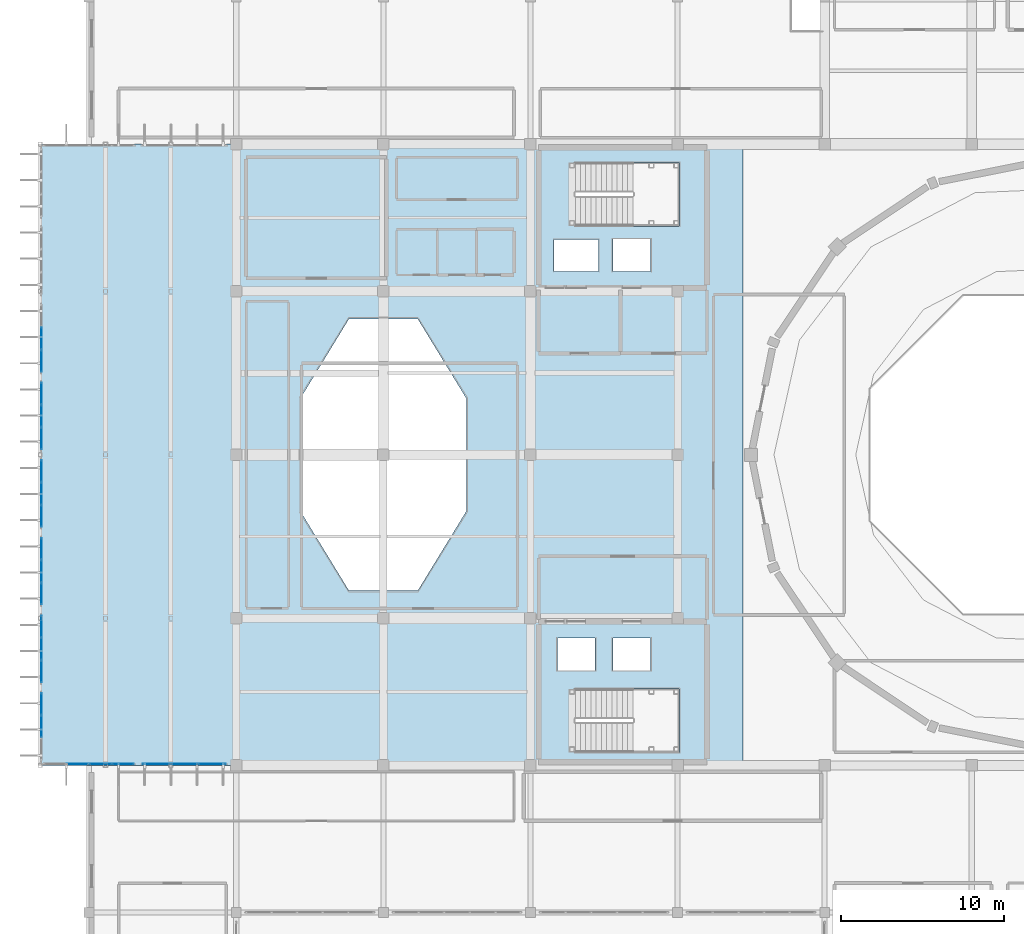
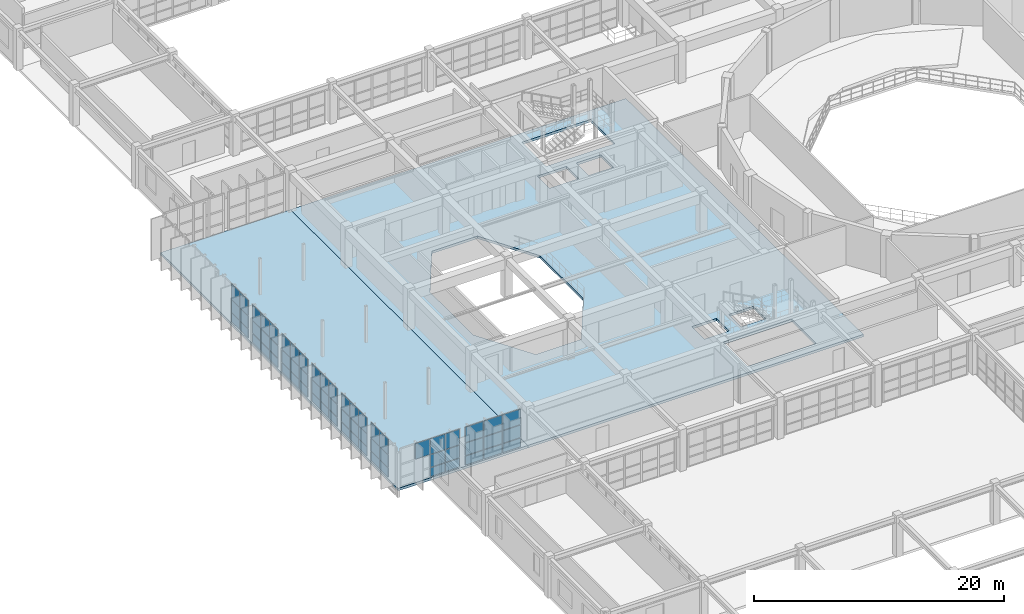
# One storey, part 81 of 110: 64 plates, 2 slabs, 8 elements without a shape of their own.
"""IFC4 building model written with IfcOpenShell, lengths in metres."""

from ifc_helpers import new_model, si_unit, direction, frame, origin, origin_2d, place, context, subcontext, project, spatial, polyline, rectangle, outline, extrude, material, layer, layer_set, type_object, element, aggregate, save


model = new_model("IFC4")

# Units and contexts
model_context = context("Model", 3, precision=1e-05, world=origin(), true_north=direction((0.0, 1.0)))
body_context = subcontext(model_context, "Body", "Model", "MODEL_VIEW")
ifc_project = project(units=[si_unit("LENGTHUNIT", "METRE"), si_unit("AREAUNIT", "SQUARE_METRE"), si_unit("VOLUMEUNIT", "CUBIC_METRE"), si_unit("PLANEANGLEUNIT", "RADIAN"), si_unit("MASSUNIT", "GRAM", prefix="KILO")], contexts=[model_context])

# Site, building, storey
site_placement = place(None, origin())
site = spatial("IfcSite", under=ifc_project, at=site_placement, CompositionType="ELEMENT")
building_placement = place(site_placement, origin())
building = spatial("IfcBuilding", under=site, at=building_placement, Name="Miravela Opera House", CompositionType="ELEMENT")
storey_placement = place(building_placement, frame((0.0, 0.0, 13.60009765625)))
storey = spatial("IfcBuildingStorey", under=building, at=storey_placement, Name="L03", CompositionType="ELEMENT", Elevation=13.60009765625)

# Curtain wall, plates
ifc_material_1 = material(Name="Anodised architectural bronze aluminium 6063-T6", Category="aluminium")
curtain_wall_type = type_object("IfcCurtainWallType", Name="ARC-CW-02", PredefinedType="NOTDEFINED", material=ifc_material_1)
curtain_wall_1_placement = place(storey_placement, origin())
curtain_wall_1 = element("IfcCurtainWall", 1, at=curtain_wall_1_placement, inside=storey, type_object=curtain_wall_type, Name="Cantilever West Wrapper Glazing B1 CW-L03-015", PredefinedType="NOTDEFINED")
ifc_material_2 = material(Name="Triple-glazed acoustic laminated low-E glass", Category="glass")
ifc_layer_1 = layer(ifc_material_2, 0.035888671875)
ifc_layer_set_1 = layer_set([ifc_layer_1])
plate_type = type_object("IfcPlateType", Name="ARC-CWP-36", PredefinedType="CURTAIN_PANEL", material=ifc_layer_set_1)
plate_1_placement = place(storey_placement, frame((15.080078125, 39.375, 0.06494140625), z_axis=(0.0, 0.0, 1.0), x_axis=(0.0, 1.0, 0.0)))
plate_1 = element("IfcPlate", 2, at=plate_1_placement, type_object=plate_type, Name="CW-02 panel 2.1", PredefinedType="CURTAIN_PANEL", context=body_context, shape_type="SweptSolid", body=[
    extrude(rectangle(XDim=1.331787109375, YDim=0.035888671875, at=origin_2d()), origin(), (0.0, 0.0, 1.0), 0.8525390625),
])
plate_2_placement = place(storey_placement, frame((15.080078125, 39.375, 0.982421875), z_axis=(0.0, 0.0, 1.0), x_axis=(0.0, 1.0, 0.0)))
plate_2 = element("IfcPlate", 3, at=plate_2_placement, type_object=plate_type, Name="CW-02 panel 2.2", PredefinedType="CURTAIN_PANEL", context=body_context, shape_type="SweptSolid", body=[
    extrude(rectangle(XDim=1.331787109375, YDim=0.035888671875, at=origin_2d()), origin(), (0.0, 0.0, 1.0), 1.20068359375),
])
plate_3_placement = place(storey_placement, frame((15.080078125, 39.375, 2.248046875), z_axis=(0.0, 0.0, 1.0), x_axis=(0.0, 1.0, 0.0)))
plate_3 = element("IfcPlate", 4, at=plate_3_placement, type_object=plate_type, Name="CW-02 panel 2.3", PredefinedType="CURTAIN_PANEL", context=body_context, shape_type="SweptSolid", body=[
    extrude(rectangle(XDim=1.331787109375, YDim=0.035888671875, at=origin_2d()), origin(), (0.0, 0.0, 1.0), 1.5068359375),
])
plate_4_placement = place(storey_placement, frame((15.080078125, 40.75537109375, 0.06494140625), z_axis=(0.0, 0.0, 1.0), x_axis=(0.0, 1.0, 0.0)))
plate_4 = element("IfcPlate", 5, at=plate_4_placement, type_object=plate_type, Name="CW-02 panel 3.1", PredefinedType="CURTAIN_PANEL", context=body_context, shape_type="SweptSolid", body=[
    extrude(rectangle(XDim=1.299072265625, YDim=0.035888671875, at=origin_2d()), origin(), (0.0, 0.0, 1.0), 0.8525390625),
])
plate_5_placement = place(storey_placement, frame((15.080078125, 40.75537109375, 0.982421875), z_axis=(0.0, 0.0, 1.0), x_axis=(0.0, 1.0, 0.0)))
plate_5 = element("IfcPlate", 6, at=plate_5_placement, type_object=plate_type, Name="CW-02 panel 3.2", PredefinedType="CURTAIN_PANEL", context=body_context, shape_type="SweptSolid", body=[
    extrude(rectangle(XDim=1.299072265625, YDim=0.035888671875, at=origin_2d()), origin(), (0.0, 0.0, 1.0), 1.20068359375),
])
plate_6_placement = place(storey_placement, frame((15.080078125, 40.75537109375, 2.248046875), z_axis=(0.0, 0.0, 1.0), x_axis=(0.0, 1.0, 0.0)))
plate_6 = element("IfcPlate", 7, at=plate_6_placement, type_object=plate_type, Name="CW-02 panel 3.3", PredefinedType="CURTAIN_PANEL", context=body_context, shape_type="SweptSolid", body=[
    extrude(rectangle(XDim=1.299072265625, YDim=0.035888671875, at=origin_2d()), origin(), (0.0, 0.0, 1.0), 1.5068359375),
])
aggregate(curtain_wall_1, [plate_1, plate_2, plate_3, plate_4, plate_5, plate_6])

curtain_wall_2_placement = place(storey_placement, origin())
curtain_wall_2 = element("IfcCurtainWall", 8, at=curtain_wall_2_placement, inside=storey, type_object=curtain_wall_type, Name="Cantilever West Wrapper Glazing B2 CW-L03-016", PredefinedType="NOTDEFINED")
plate_7_placement = place(storey_placement, frame((15.080078125, 42.74462890625, 0.06494140625), z_axis=(0.0, 0.0, 1.0), x_axis=(0.0, 1.0, 0.0)))
plate_7 = element("IfcPlate", 9, at=plate_7_placement, type_object=plate_type, Name="CW-02 panel 1.1", PredefinedType="CURTAIN_PANEL", context=body_context, shape_type="SweptSolid", body=[
    extrude(rectangle(XDim=1.299072265625, YDim=0.035888671875, at=origin_2d()), origin(), (0.0, 0.0, 1.0), 0.8525390625),
])
plate_8_placement = place(storey_placement, frame((15.080078125, 42.74462890625, 0.982421875), z_axis=(0.0, 0.0, 1.0), x_axis=(0.0, 1.0, 0.0)))
plate_8 = element("IfcPlate", 10, at=plate_8_placement, type_object=plate_type, Name="CW-02 panel 1.2", PredefinedType="CURTAIN_PANEL", context=body_context, shape_type="SweptSolid", body=[
    extrude(rectangle(XDim=1.299072265625, YDim=0.035888671875, at=origin_2d()), origin(), (0.0, 0.0, 1.0), 1.20068359375),
])
plate_9_placement = place(storey_placement, frame((15.080078125, 42.74462890625, 2.248046875), z_axis=(0.0, 0.0, 1.0), x_axis=(0.0, 1.0, 0.0)))
plate_9 = element("IfcPlate", 11, at=plate_9_placement, type_object=plate_type, Name="CW-02 panel 1.3", PredefinedType="CURTAIN_PANEL", context=body_context, shape_type="SweptSolid", body=[
    extrude(rectangle(XDim=1.299072265625, YDim=0.035888671875, at=origin_2d()), origin(), (0.0, 0.0, 1.0), 1.5068359375),
])
plate_10_placement = place(storey_placement, frame((15.080078125, 44.125, 0.06494140625), z_axis=(0.0, 0.0, 1.0), x_axis=(0.0, 1.0, 0.0)))
plate_10 = element("IfcPlate", 12, at=plate_10_placement, type_object=plate_type, Name="CW-02 panel 2.1", PredefinedType="CURTAIN_PANEL", context=body_context, shape_type="SweptSolid", body=[
    extrude(rectangle(XDim=1.331787109375, YDim=0.035888671875, at=origin_2d()), origin(), (0.0, 0.0, 1.0), 0.8525390625),
])
plate_11_placement = place(storey_placement, frame((15.080078125, 44.125, 0.982421875), z_axis=(0.0, 0.0, 1.0), x_axis=(0.0, 1.0, 0.0)))
plate_11 = element("IfcPlate", 13, at=plate_11_placement, type_object=plate_type, Name="CW-02 panel 2.2", PredefinedType="CURTAIN_PANEL", context=body_context, shape_type="SweptSolid", body=[
    extrude(rectangle(XDim=1.331787109375, YDim=0.035888671875, at=origin_2d()), origin(), (0.0, 0.0, 1.0), 1.20068359375),
])
plate_12_placement = place(storey_placement, frame((15.080078125, 44.125, 2.248046875), z_axis=(0.0, 0.0, 1.0), x_axis=(0.0, 1.0, 0.0)))
plate_12 = element("IfcPlate", 14, at=plate_12_placement, type_object=plate_type, Name="CW-02 panel 2.3", PredefinedType="CURTAIN_PANEL", context=body_context, shape_type="SweptSolid", body=[
    extrude(rectangle(XDim=1.331787109375, YDim=0.035888671875, at=origin_2d()), origin(), (0.0, 0.0, 1.0), 1.5068359375),
])
plate_13_placement = place(storey_placement, frame((15.080078125, 45.50537109375, 0.06494140625), z_axis=(0.0, 0.0, 1.0), x_axis=(0.0, 1.0, 0.0)))
plate_13 = element("IfcPlate", 15, at=plate_13_placement, type_object=plate_type, Name="CW-02 panel 3.1", PredefinedType="CURTAIN_PANEL", context=body_context, shape_type="SweptSolid", body=[
    extrude(rectangle(XDim=1.299072265625, YDim=0.035888671875, at=origin_2d()), origin(), (0.0, 0.0, 1.0), 0.8525390625),
])
plate_14_placement = place(storey_placement, frame((15.080078125, 45.50537109375, 0.982421875), z_axis=(0.0, 0.0, 1.0), x_axis=(0.0, 1.0, 0.0)))
plate_14 = element("IfcPlate", 16, at=plate_14_placement, type_object=plate_type, Name="CW-02 panel 3.2", PredefinedType="CURTAIN_PANEL", context=body_context, shape_type="SweptSolid", body=[
    extrude(rectangle(XDim=1.299072265625, YDim=0.035888671875, at=origin_2d()), origin(), (0.0, 0.0, 1.0), 1.20068359375),
])
plate_15_placement = place(storey_placement, frame((15.080078125, 45.50537109375, 2.248046875), z_axis=(0.0, 0.0, 1.0), x_axis=(0.0, 1.0, 0.0)))
plate_15 = element("IfcPlate", 17, at=plate_15_placement, type_object=plate_type, Name="CW-02 panel 3.3", PredefinedType="CURTAIN_PANEL", context=body_context, shape_type="SweptSolid", body=[
    extrude(rectangle(XDim=1.299072265625, YDim=0.035888671875, at=origin_2d()), origin(), (0.0, 0.0, 1.0), 1.5068359375),
])
aggregate(curtain_wall_2, [plate_7, plate_8, plate_9, plate_10, plate_11, plate_12, plate_13, plate_14, plate_15])

curtain_wall_3_placement = place(storey_placement, origin())
curtain_wall_3 = element("IfcCurtainWall", 18, at=curtain_wall_3_placement, inside=storey, type_object=curtain_wall_type, Name="Cantilever West Wrapper Glazing B3 CW-L03-017", PredefinedType="NOTDEFINED")
plate_16_placement = place(storey_placement, frame((15.080078125, 47.49462890625, 0.06494140625), z_axis=(0.0, 0.0, 1.0), x_axis=(0.0, 1.0, 0.0)))
plate_16 = element("IfcPlate", 19, at=plate_16_placement, type_object=plate_type, Name="CW-02 panel 1.1", PredefinedType="CURTAIN_PANEL", context=body_context, shape_type="SweptSolid", body=[
    extrude(rectangle(XDim=1.299072265625, YDim=0.035888671875, at=origin_2d()), origin(), (0.0, 0.0, 1.0), 0.8525390625),
])
plate_17_placement = place(storey_placement, frame((15.080078125, 47.49462890625, 0.982421875), z_axis=(0.0, 0.0, 1.0), x_axis=(0.0, 1.0, 0.0)))
plate_17 = element("IfcPlate", 20, at=plate_17_placement, type_object=plate_type, Name="CW-02 panel 1.2", PredefinedType="CURTAIN_PANEL", context=body_context, shape_type="SweptSolid", body=[
    extrude(rectangle(XDim=1.299072265625, YDim=0.035888671875, at=origin_2d()), origin(), (0.0, 0.0, 1.0), 1.20068359375),
])
plate_18_placement = place(storey_placement, frame((15.080078125, 47.49462890625, 2.248046875), z_axis=(0.0, 0.0, 1.0), x_axis=(0.0, 1.0, 0.0)))
plate_18 = element("IfcPlate", 21, at=plate_18_placement, type_object=plate_type, Name="CW-02 panel 1.3", PredefinedType="CURTAIN_PANEL", context=body_context, shape_type="SweptSolid", body=[
    extrude(rectangle(XDim=1.299072265625, YDim=0.035888671875, at=origin_2d()), origin(), (0.0, 0.0, 1.0), 1.5068359375),
])
plate_19_placement = place(storey_placement, frame((15.080078125, 48.875, 0.06494140625), z_axis=(0.0, 0.0, 1.0), x_axis=(0.0, 1.0, 0.0)))
plate_19 = element("IfcPlate", 22, at=plate_19_placement, type_object=plate_type, Name="CW-02 panel 2.1", PredefinedType="CURTAIN_PANEL", context=body_context, shape_type="SweptSolid", body=[
    extrude(rectangle(XDim=1.331787109375, YDim=0.035888671875, at=origin_2d()), origin(), (0.0, 0.0, 1.0), 0.8525390625),
])
plate_20_placement = place(storey_placement, frame((15.080078125, 48.875, 0.982421875), z_axis=(0.0, 0.0, 1.0), x_axis=(0.0, 1.0, 0.0)))
plate_20 = element("IfcPlate", 23, at=plate_20_placement, type_object=plate_type, Name="CW-02 panel 2.2", PredefinedType="CURTAIN_PANEL", context=body_context, shape_type="SweptSolid", body=[
    extrude(rectangle(XDim=1.331787109375, YDim=0.035888671875, at=origin_2d()), origin(), (0.0, 0.0, 1.0), 1.20068359375),
])
plate_21_placement = place(storey_placement, frame((15.080078125, 48.875, 2.248046875), z_axis=(0.0, 0.0, 1.0), x_axis=(0.0, 1.0, 0.0)))
plate_21 = element("IfcPlate", 24, at=plate_21_placement, type_object=plate_type, Name="CW-02 panel 2.3", PredefinedType="CURTAIN_PANEL", context=body_context, shape_type="SweptSolid", body=[
    extrude(rectangle(XDim=1.331787109375, YDim=0.035888671875, at=origin_2d()), origin(), (0.0, 0.0, 1.0), 1.5068359375),
])
plate_22_placement = place(storey_placement, frame((15.080078125, 50.25537109375, 0.06494140625), z_axis=(0.0, 0.0, 1.0), x_axis=(0.0, 1.0, 0.0)))
plate_22 = element("IfcPlate", 25, at=plate_22_placement, type_object=plate_type, Name="CW-02 panel 3.1", PredefinedType="CURTAIN_PANEL", context=body_context, shape_type="SweptSolid", body=[
    extrude(rectangle(XDim=1.299072265625, YDim=0.035888671875, at=origin_2d()), origin(), (0.0, 0.0, 1.0), 0.8525390625),
])
plate_23_placement = place(storey_placement, frame((15.080078125, 50.25537109375, 0.982421875), z_axis=(0.0, 0.0, 1.0), x_axis=(0.0, 1.0, 0.0)))
plate_23 = element("IfcPlate", 26, at=plate_23_placement, type_object=plate_type, Name="CW-02 panel 3.2", PredefinedType="CURTAIN_PANEL", context=body_context, shape_type="SweptSolid", body=[
    extrude(rectangle(XDim=1.299072265625, YDim=0.035888671875, at=origin_2d()), origin(), (0.0, 0.0, 1.0), 1.20068359375),
])
plate_24_placement = place(storey_placement, frame((15.080078125, 50.25537109375, 2.248046875), z_axis=(0.0, 0.0, 1.0), x_axis=(0.0, 1.0, 0.0)))
plate_24 = element("IfcPlate", 27, at=plate_24_placement, type_object=plate_type, Name="CW-02 panel 3.3", PredefinedType="CURTAIN_PANEL", context=body_context, shape_type="SweptSolid", body=[
    extrude(rectangle(XDim=1.299072265625, YDim=0.035888671875, at=origin_2d()), origin(), (0.0, 0.0, 1.0), 1.5068359375),
])
aggregate(curtain_wall_3, [plate_16, plate_17, plate_18, plate_19, plate_20, plate_21, plate_22, plate_23, plate_24])

curtain_wall_4_placement = place(storey_placement, origin())
curtain_wall_4 = element("IfcCurtainWall", 28, at=curtain_wall_4_placement, inside=storey, type_object=curtain_wall_type, Name="Cantilever West Wrapper Glazing B4 CW-L03-018", PredefinedType="NOTDEFINED")
plate_25_placement = place(storey_placement, frame((15.080078125, 52.24462890625, 0.06494140625), z_axis=(0.0, 0.0, 1.0), x_axis=(0.0, 1.0, 0.0)))
plate_25 = element("IfcPlate", 29, at=plate_25_placement, type_object=plate_type, Name="CW-02 panel 1.1", PredefinedType="CURTAIN_PANEL", context=body_context, shape_type="SweptSolid", body=[
    extrude(rectangle(XDim=1.299072265625, YDim=0.035888671875, at=origin_2d()), origin(), (0.0, 0.0, 1.0), 0.8525390625),
])
plate_26_placement = place(storey_placement, frame((15.080078125, 52.24462890625, 0.982421875), z_axis=(0.0, 0.0, 1.0), x_axis=(0.0, 1.0, 0.0)))
plate_26 = element("IfcPlate", 30, at=plate_26_placement, type_object=plate_type, Name="CW-02 panel 1.2", PredefinedType="CURTAIN_PANEL", context=body_context, shape_type="SweptSolid", body=[
    extrude(rectangle(XDim=1.299072265625, YDim=0.035888671875, at=origin_2d()), origin(), (0.0, 0.0, 1.0), 1.20068359375),
])
plate_27_placement = place(storey_placement, frame((15.080078125, 52.24462890625, 2.248046875), z_axis=(0.0, 0.0, 1.0), x_axis=(0.0, 1.0, 0.0)))
plate_27 = element("IfcPlate", 31, at=plate_27_placement, type_object=plate_type, Name="CW-02 panel 1.3", PredefinedType="CURTAIN_PANEL", context=body_context, shape_type="SweptSolid", body=[
    extrude(rectangle(XDim=1.299072265625, YDim=0.035888671875, at=origin_2d()), origin(), (0.0, 0.0, 1.0), 1.5068359375),
])
plate_28_placement = place(storey_placement, frame((15.080078125, 53.625, 0.06494140625), z_axis=(0.0, 0.0, 1.0), x_axis=(0.0, 1.0, 0.0)))
plate_28 = element("IfcPlate", 32, at=plate_28_placement, type_object=plate_type, Name="CW-02 panel 2.1", PredefinedType="CURTAIN_PANEL", context=body_context, shape_type="SweptSolid", body=[
    extrude(rectangle(XDim=1.331787109375, YDim=0.035888671875, at=origin_2d()), origin(), (0.0, 0.0, 1.0), 0.8525390625),
])
plate_29_placement = place(storey_placement, frame((15.080078125, 53.625, 0.982421875), z_axis=(0.0, 0.0, 1.0), x_axis=(0.0, 1.0, 0.0)))
plate_29 = element("IfcPlate", 33, at=plate_29_placement, type_object=plate_type, Name="CW-02 panel 2.2", PredefinedType="CURTAIN_PANEL", context=body_context, shape_type="SweptSolid", body=[
    extrude(rectangle(XDim=1.331787109375, YDim=0.035888671875, at=origin_2d()), origin(), (0.0, 0.0, 1.0), 1.20068359375),
])
plate_30_placement = place(storey_placement, frame((15.080078125, 53.625, 2.248046875), z_axis=(0.0, 0.0, 1.0), x_axis=(0.0, 1.0, 0.0)))
plate_30 = element("IfcPlate", 34, at=plate_30_placement, type_object=plate_type, Name="CW-02 panel 2.3", PredefinedType="CURTAIN_PANEL", context=body_context, shape_type="SweptSolid", body=[
    extrude(rectangle(XDim=1.331787109375, YDim=0.035888671875, at=origin_2d()), origin(), (0.0, 0.0, 1.0), 1.5068359375),
])
plate_31_placement = place(storey_placement, frame((15.080078125, 55.00537109375, 0.06494140625), z_axis=(0.0, 0.0, 1.0), x_axis=(0.0, 1.0, 0.0)))
plate_31 = element("IfcPlate", 35, at=plate_31_placement, type_object=plate_type, Name="CW-02 panel 3.1", PredefinedType="CURTAIN_PANEL", context=body_context, shape_type="SweptSolid", body=[
    extrude(rectangle(XDim=1.299072265625, YDim=0.035888671875, at=origin_2d()), origin(), (0.0, 0.0, 1.0), 0.8525390625),
])
plate_32_placement = place(storey_placement, frame((15.080078125, 55.00537109375, 0.982421875), z_axis=(0.0, 0.0, 1.0), x_axis=(0.0, 1.0, 0.0)))
plate_32 = element("IfcPlate", 36, at=plate_32_placement, type_object=plate_type, Name="CW-02 panel 3.2", PredefinedType="CURTAIN_PANEL", context=body_context, shape_type="SweptSolid", body=[
    extrude(rectangle(XDim=1.299072265625, YDim=0.035888671875, at=origin_2d()), origin(), (0.0, 0.0, 1.0), 1.20068359375),
])
plate_33_placement = place(storey_placement, frame((15.080078125, 55.00537109375, 2.248046875), z_axis=(0.0, 0.0, 1.0), x_axis=(0.0, 1.0, 0.0)))
plate_33 = element("IfcPlate", 37, at=plate_33_placement, type_object=plate_type, Name="CW-02 panel 3.3", PredefinedType="CURTAIN_PANEL", context=body_context, shape_type="SweptSolid", body=[
    extrude(rectangle(XDim=1.299072265625, YDim=0.035888671875, at=origin_2d()), origin(), (0.0, 0.0, 1.0), 1.5068359375),
])
aggregate(curtain_wall_4, [plate_25, plate_26, plate_27, plate_28, plate_29, plate_30, plate_31, plate_32, plate_33])

curtain_wall_5_placement = place(storey_placement, origin())
curtain_wall_5 = element("IfcCurtainWall", 38, at=curtain_wall_5_placement, inside=storey, type_object=curtain_wall_type, Name="Cantilever West Wrapper Glazing B5 CW-L03-019", PredefinedType="NOTDEFINED")
plate_34_placement = place(storey_placement, frame((15.080078125, 56.99462890625, 0.06494140625), z_axis=(0.0, 0.0, 1.0), x_axis=(0.0, 1.0, 0.0)))
plate_34 = element("IfcPlate", 39, at=plate_34_placement, type_object=plate_type, Name="CW-02 panel 1.1", PredefinedType="CURTAIN_PANEL", context=body_context, shape_type="SweptSolid", body=[
    extrude(rectangle(XDim=1.299072265625, YDim=0.035888671875, at=origin_2d()), origin(), (0.0, 0.0, 1.0), 0.8525390625),
])
plate_35_placement = place(storey_placement, frame((15.080078125, 56.99462890625, 0.982421875), z_axis=(0.0, 0.0, 1.0), x_axis=(0.0, 1.0, 0.0)))
plate_35 = element("IfcPlate", 40, at=plate_35_placement, type_object=plate_type, Name="CW-02 panel 1.2", PredefinedType="CURTAIN_PANEL", context=body_context, shape_type="SweptSolid", body=[
    extrude(rectangle(XDim=1.299072265625, YDim=0.035888671875, at=origin_2d()), origin(), (0.0, 0.0, 1.0), 1.20068359375),
])
plate_36_placement = place(storey_placement, frame((15.080078125, 56.99462890625, 2.248046875), z_axis=(0.0, 0.0, 1.0), x_axis=(0.0, 1.0, 0.0)))
plate_36 = element("IfcPlate", 41, at=plate_36_placement, type_object=plate_type, Name="CW-02 panel 1.3", PredefinedType="CURTAIN_PANEL", context=body_context, shape_type="SweptSolid", body=[
    extrude(rectangle(XDim=1.299072265625, YDim=0.035888671875, at=origin_2d()), origin(), (0.0, 0.0, 1.0), 1.5068359375),
])
plate_37_placement = place(storey_placement, frame((15.080078125, 58.375, 0.06494140625), z_axis=(0.0, 0.0, 1.0), x_axis=(0.0, 1.0, 0.0)))
plate_37 = element("IfcPlate", 42, at=plate_37_placement, type_object=plate_type, Name="CW-02 panel 2.1", PredefinedType="CURTAIN_PANEL", context=body_context, shape_type="SweptSolid", body=[
    extrude(rectangle(XDim=1.331787109375, YDim=0.035888671875, at=origin_2d()), origin(), (0.0, 0.0, 1.0), 0.8525390625),
])
plate_38_placement = place(storey_placement, frame((15.080078125, 58.375, 0.982421875), z_axis=(0.0, 0.0, 1.0), x_axis=(0.0, 1.0, 0.0)))
plate_38 = element("IfcPlate", 43, at=plate_38_placement, type_object=plate_type, Name="CW-02 panel 2.2", PredefinedType="CURTAIN_PANEL", context=body_context, shape_type="SweptSolid", body=[
    extrude(rectangle(XDim=1.331787109375, YDim=0.035888671875, at=origin_2d()), origin(), (0.0, 0.0, 1.0), 1.20068359375),
])
plate_39_placement = place(storey_placement, frame((15.080078125, 58.375, 2.248046875), z_axis=(0.0, 0.0, 1.0), x_axis=(0.0, 1.0, 0.0)))
plate_39 = element("IfcPlate", 44, at=plate_39_placement, type_object=plate_type, Name="CW-02 panel 2.3", PredefinedType="CURTAIN_PANEL", context=body_context, shape_type="SweptSolid", body=[
    extrude(rectangle(XDim=1.331787109375, YDim=0.035888671875, at=origin_2d()), origin(), (0.0, 0.0, 1.0), 1.5068359375),
])
plate_40_placement = place(storey_placement, frame((15.080078125, 59.75537109375, 0.06494140625), z_axis=(0.0, 0.0, 1.0), x_axis=(0.0, 1.0, 0.0)))
plate_40 = element("IfcPlate", 45, at=plate_40_placement, type_object=plate_type, Name="CW-02 panel 3.1", PredefinedType="CURTAIN_PANEL", context=body_context, shape_type="SweptSolid", body=[
    extrude(rectangle(XDim=1.299072265625, YDim=0.035888671875, at=origin_2d()), origin(), (0.0, 0.0, 1.0), 0.8525390625),
])
plate_41_placement = place(storey_placement, frame((15.080078125, 59.75537109375, 0.982421875), z_axis=(0.0, 0.0, 1.0), x_axis=(0.0, 1.0, 0.0)))
plate_41 = element("IfcPlate", 46, at=plate_41_placement, type_object=plate_type, Name="CW-02 panel 3.2", PredefinedType="CURTAIN_PANEL", context=body_context, shape_type="SweptSolid", body=[
    extrude(rectangle(XDim=1.299072265625, YDim=0.035888671875, at=origin_2d()), origin(), (0.0, 0.0, 1.0), 1.20068359375),
])
plate_42_placement = place(storey_placement, frame((15.080078125, 59.75537109375, 2.248046875), z_axis=(0.0, 0.0, 1.0), x_axis=(0.0, 1.0, 0.0)))
plate_42 = element("IfcPlate", 47, at=plate_42_placement, type_object=plate_type, Name="CW-02 panel 3.3", PredefinedType="CURTAIN_PANEL", context=body_context, shape_type="SweptSolid", body=[
    extrude(rectangle(XDim=1.299072265625, YDim=0.035888671875, at=origin_2d()), origin(), (0.0, 0.0, 1.0), 1.5068359375),
])
aggregate(curtain_wall_5, [plate_34, plate_35, plate_36, plate_37, plate_38, plate_39, plate_40, plate_41, plate_42])

curtain_wall_6_placement = place(storey_placement, origin())
curtain_wall_6 = element("IfcCurtainWall", 48, at=curtain_wall_6_placement, inside=storey, type_object=curtain_wall_type, Name="Cantilever West Wrapper Glazing B6 CW-L03-020", PredefinedType="NOTDEFINED")
plate_43_placement = place(storey_placement, frame((15.080078125, 61.74462890625, 0.06494140625), z_axis=(0.0, 0.0, 1.0), x_axis=(0.0, 1.0, 0.0)))
plate_43 = element("IfcPlate", 49, at=plate_43_placement, type_object=plate_type, Name="CW-02 panel 1.1", PredefinedType="CURTAIN_PANEL", context=body_context, shape_type="SweptSolid", body=[
    extrude(rectangle(XDim=1.299072265625, YDim=0.035888671875, at=origin_2d()), origin(), (0.0, 0.0, 1.0), 0.8525390625),
])
plate_44_placement = place(storey_placement, frame((15.080078125, 61.74462890625, 0.982421875), z_axis=(0.0, 0.0, 1.0), x_axis=(0.0, 1.0, 0.0)))
plate_44 = element("IfcPlate", 50, at=plate_44_placement, type_object=plate_type, Name="CW-02 panel 1.2", PredefinedType="CURTAIN_PANEL", context=body_context, shape_type="SweptSolid", body=[
    extrude(rectangle(XDim=1.299072265625, YDim=0.035888671875, at=origin_2d()), origin(), (0.0, 0.0, 1.0), 1.20068359375),
])
plate_45_placement = place(storey_placement, frame((15.080078125, 61.74462890625, 2.248046875), z_axis=(0.0, 0.0, 1.0), x_axis=(0.0, 1.0, 0.0)))
plate_45 = element("IfcPlate", 51, at=plate_45_placement, type_object=plate_type, Name="CW-02 panel 1.3", PredefinedType="CURTAIN_PANEL", context=body_context, shape_type="SweptSolid", body=[
    extrude(rectangle(XDim=1.299072265625, YDim=0.035888671875, at=origin_2d()), origin(), (0.0, 0.0, 1.0), 1.5068359375),
])
plate_46_placement = place(storey_placement, frame((15.080078125, 63.125, 0.06494140625), z_axis=(0.0, 0.0, 1.0), x_axis=(0.0, 1.0, 0.0)))
plate_46 = element("IfcPlate", 52, at=plate_46_placement, type_object=plate_type, Name="CW-02 panel 2.1", PredefinedType="CURTAIN_PANEL", context=body_context, shape_type="SweptSolid", body=[
    extrude(rectangle(XDim=1.331787109375, YDim=0.035888671875, at=origin_2d()), origin(), (0.0, 0.0, 1.0), 0.8525390625),
])
plate_47_placement = place(storey_placement, frame((15.080078125, 63.125, 0.982421875), z_axis=(0.0, 0.0, 1.0), x_axis=(0.0, 1.0, 0.0)))
plate_47 = element("IfcPlate", 53, at=plate_47_placement, type_object=plate_type, Name="CW-02 panel 2.2", PredefinedType="CURTAIN_PANEL", context=body_context, shape_type="SweptSolid", body=[
    extrude(rectangle(XDim=1.331787109375, YDim=0.035888671875, at=origin_2d()), origin(), (0.0, 0.0, 1.0), 1.20068359375),
])
plate_48_placement = place(storey_placement, frame((15.080078125, 63.125, 2.248046875), z_axis=(0.0, 0.0, 1.0), x_axis=(0.0, 1.0, 0.0)))
plate_48 = element("IfcPlate", 54, at=plate_48_placement, type_object=plate_type, Name="CW-02 panel 2.3", PredefinedType="CURTAIN_PANEL", context=body_context, shape_type="SweptSolid", body=[
    extrude(rectangle(XDim=1.331787109375, YDim=0.035888671875, at=origin_2d()), origin(), (0.0, 0.0, 1.0), 1.5068359375),
])
aggregate(curtain_wall_6, [plate_43, plate_44, plate_45, plate_46, plate_47, plate_48])

curtain_wall_7_placement = place(storey_placement, origin())
curtain_wall_7 = element("IfcCurtainWall", 55, at=curtain_wall_7_placement, inside=storey, type_object=curtain_wall_type, Name="Auditorium South Wrapper Glazing CW-L03-024", PredefinedType="NOTDEFINED")
plate_49_placement = place(storey_placement, frame((17.300048828125, 37.080078125, 2.248046875), z_axis=(0.0, 0.0, 1.0), x_axis=(1.0, 0.0, 0.0)))
plate_49 = element("IfcPlate", 56, at=plate_49_placement, type_object=plate_type, Name="CW-02 panel 2.3", PredefinedType="CURTAIN_PANEL", context=body_context, shape_type="SweptSolid", body=[
    extrude(rectangle(XDim=1.3349609375, YDim=0.035888671875, at=origin_2d()), origin(), (0.0, 0.0, 1.0), 1.5068359375),
])
plate_50_placement = place(storey_placement, frame((18.699951171875, 37.080078125, 0.06494140625), z_axis=(0.0, 0.0, 1.0), x_axis=(1.0, 0.0, 0.0)))
plate_50 = element("IfcPlate", 57, at=plate_50_placement, type_object=plate_type, Name="CW-02 panel 3.1", PredefinedType="CURTAIN_PANEL", context=body_context, shape_type="SweptSolid", body=[
    extrude(rectangle(XDim=1.3349609375, YDim=0.035888671875, at=origin_2d()), origin(), (0.0, 0.0, 1.0), 0.8525390625),
])
plate_51_placement = place(storey_placement, frame((18.699951171875, 37.080078125, 0.982421875), z_axis=(0.0, 0.0, 1.0), x_axis=(1.0, 0.0, 0.0)))
plate_51 = element("IfcPlate", 58, at=plate_51_placement, type_object=plate_type, Name="CW-02 panel 3.2", PredefinedType="CURTAIN_PANEL", context=body_context, shape_type="SweptSolid", body=[
    extrude(rectangle(XDim=1.3349609375, YDim=0.035888671875, at=origin_2d()), origin(), (0.0, 0.0, 1.0), 1.20068359375),
])
plate_52_placement = place(storey_placement, frame((18.699951171875, 37.080078125, 2.248046875), z_axis=(0.0, 0.0, 1.0), x_axis=(1.0, 0.0, 0.0)))
plate_52 = element("IfcPlate", 59, at=plate_52_placement, type_object=plate_type, Name="CW-02 panel 3.3", PredefinedType="CURTAIN_PANEL", context=body_context, shape_type="SweptSolid", body=[
    extrude(rectangle(XDim=1.3349609375, YDim=0.035888671875, at=origin_2d()), origin(), (0.0, 0.0, 1.0), 1.5068359375),
])
plate_53_placement = place(storey_placement, frame((20.083740234375, 37.080078125, 0.06494140625), z_axis=(0.0, 0.0, 1.0), x_axis=(1.0, 0.0, 0.0)))
plate_53 = element("IfcPlate", 60, at=plate_53_placement, type_object=plate_type, Name="CW-02 panel 4.1", PredefinedType="CURTAIN_PANEL", context=body_context, shape_type="SweptSolid", body=[
    extrude(rectangle(XDim=1.302490234375, YDim=0.035888671875, at=origin_2d()), origin(), (0.0, 0.0, 1.0), 0.8525390625),
])
plate_54_placement = place(storey_placement, frame((20.083740234375, 37.080078125, 0.982421875), z_axis=(0.0, 0.0, 1.0), x_axis=(1.0, 0.0, 0.0)))
plate_54 = element("IfcPlate", 61, at=plate_54_placement, type_object=plate_type, Name="CW-02 panel 4.2", PredefinedType="CURTAIN_PANEL", context=body_context, shape_type="SweptSolid", body=[
    extrude(rectangle(XDim=1.302490234375, YDim=0.035888671875, at=origin_2d()), origin(), (0.0, 0.0, 1.0), 1.20068359375),
])
plate_55_placement = place(storey_placement, frame((20.083740234375, 37.080078125, 2.248046875), z_axis=(0.0, 0.0, 1.0), x_axis=(1.0, 0.0, 0.0)))
plate_55 = element("IfcPlate", 62, at=plate_55_placement, type_object=plate_type, Name="CW-02 panel 4.3", PredefinedType="CURTAIN_PANEL", context=body_context, shape_type="SweptSolid", body=[
    extrude(rectangle(XDim=1.302490234375, YDim=0.035888671875, at=origin_2d()), origin(), (0.0, 0.0, 1.0), 1.5068359375),
])
aggregate(curtain_wall_7, [plate_49, plate_50, plate_51, plate_52, plate_53, plate_54, plate_55])

curtain_wall_8_placement = place(storey_placement, origin())
curtain_wall_8 = element("IfcCurtainWall", 63, at=curtain_wall_8_placement, inside=storey, type_object=curtain_wall_type, Name="Auditorium South Wrapper Glazing CW-L03-026", PredefinedType="NOTDEFINED")
plate_56_placement = place(storey_placement, frame((22.086181640625, 37.080078125, 0.06494140625), z_axis=(0.0, 0.0, 1.0), x_axis=(1.0, 0.0, 0.0)))
plate_56 = element("IfcPlate", 64, at=plate_56_placement, type_object=plate_type, Name="CW-02 panel 1.1", PredefinedType="CURTAIN_PANEL", context=body_context, shape_type="SweptSolid", body=[
    extrude(rectangle(XDim=1.642578125, YDim=0.035888671875, at=origin_2d()), origin(), (0.0, 0.0, 1.0), 0.8525390625),
])
plate_57_placement = place(storey_placement, frame((22.086181640625, 37.080078125, 0.982421875), z_axis=(0.0, 0.0, 1.0), x_axis=(1.0, 0.0, 0.0)))
plate_57 = element("IfcPlate", 65, at=plate_57_placement, type_object=plate_type, Name="CW-02 panel 1.2", PredefinedType="CURTAIN_PANEL", context=body_context, shape_type="SweptSolid", body=[
    extrude(rectangle(XDim=1.642578125, YDim=0.035888671875, at=origin_2d()), origin(), (0.0, 0.0, 1.0), 1.20068359375),
])
plate_58_placement = place(storey_placement, frame((22.086181640625, 37.080078125, 2.248046875), z_axis=(0.0, 0.0, 1.0), x_axis=(1.0, 0.0, 0.0)))
plate_58 = element("IfcPlate", 66, at=plate_58_placement, type_object=plate_type, Name="CW-02 panel 1.3", PredefinedType="CURTAIN_PANEL", context=body_context, shape_type="SweptSolid", body=[
    extrude(rectangle(XDim=1.642578125, YDim=0.035888671875, at=origin_2d()), origin(), (0.0, 0.0, 1.0), 1.5068359375),
])
plate_59_placement = place(storey_placement, frame((23.81005859375, 37.080078125, 0.06494140625), z_axis=(0.0, 0.0, 1.0), x_axis=(1.0, 0.0, 0.0)))
plate_59 = element("IfcPlate", 67, at=plate_59_placement, type_object=plate_type, Name="CW-02 panel 2.1", PredefinedType="CURTAIN_PANEL", context=body_context, shape_type="SweptSolid", body=[
    extrude(rectangle(XDim=1.675048828125, YDim=0.035888671875, at=origin_2d()), origin(), (0.0, 0.0, 1.0), 0.8525390625),
])
plate_60_placement = place(storey_placement, frame((23.81005859375, 37.080078125, 0.982421875), z_axis=(0.0, 0.0, 1.0), x_axis=(1.0, 0.0, 0.0)))
plate_60 = element("IfcPlate", 68, at=plate_60_placement, type_object=plate_type, Name="CW-02 panel 2.2", PredefinedType="CURTAIN_PANEL", context=body_context, shape_type="SweptSolid", body=[
    extrude(rectangle(XDim=1.675048828125, YDim=0.035888671875, at=origin_2d()), origin(), (0.0, 0.0, 1.0), 1.20068359375),
])
plate_61_placement = place(storey_placement, frame((23.81005859375, 37.080078125, 2.248046875), z_axis=(0.0, 0.0, 1.0), x_axis=(1.0, 0.0, 0.0)))
plate_61 = element("IfcPlate", 69, at=plate_61_placement, type_object=plate_type, Name="CW-02 panel 2.3", PredefinedType="CURTAIN_PANEL", context=body_context, shape_type="SweptSolid", body=[
    extrude(rectangle(XDim=1.675048828125, YDim=0.035888671875, at=origin_2d()), origin(), (0.0, 0.0, 1.0), 1.5068359375),
])
plate_62_placement = place(storey_placement, frame((25.53369140625, 37.080078125, 0.06494140625), z_axis=(0.0, 0.0, 1.0), x_axis=(1.0, 0.0, 0.0)))
plate_62 = element("IfcPlate", 70, at=plate_62_placement, type_object=plate_type, Name="CW-02 panel 3.1", PredefinedType="CURTAIN_PANEL", context=body_context, shape_type="SweptSolid", body=[
    extrude(rectangle(XDim=1.642578125, YDim=0.035888671875, at=origin_2d()), origin(), (0.0, 0.0, 1.0), 0.8525390625),
])
plate_63_placement = place(storey_placement, frame((25.53369140625, 37.080078125, 0.982421875), z_axis=(0.0, 0.0, 1.0), x_axis=(1.0, 0.0, 0.0)))
plate_63 = element("IfcPlate", 71, at=plate_63_placement, type_object=plate_type, Name="CW-02 panel 3.2", PredefinedType="CURTAIN_PANEL", context=body_context, shape_type="SweptSolid", body=[
    extrude(rectangle(XDim=1.642578125, YDim=0.035888671875, at=origin_2d()), origin(), (0.0, 0.0, 1.0), 1.20068359375),
])
plate_64_placement = place(storey_placement, frame((25.53369140625, 37.080078125, 2.248046875), z_axis=(0.0, 0.0, 1.0), x_axis=(1.0, 0.0, 0.0)))
plate_64 = element("IfcPlate", 72, at=plate_64_placement, type_object=plate_type, Name="CW-02 panel 3.3", PredefinedType="CURTAIN_PANEL", context=body_context, shape_type="SweptSolid", body=[
    extrude(rectangle(XDim=1.642578125, YDim=0.035888671875, at=origin_2d()), origin(), (0.0, 0.0, 1.0), 1.5068359375),
])
aggregate(curtain_wall_8, [plate_56, plate_57, plate_58, plate_59, plate_60, plate_61, plate_62, plate_63, plate_64])

# Slabs
ifc_material_3 = material(Name="Concrete C35/45", Category="concrete")
ifc_layer_2 = layer(ifc_material_3, 0.239990234375)
ifc_layer_set_2 = layer_set([ifc_layer_2])
slab_type = type_object("IfcSlabType", Name="STR-SLAB-FLR-240", PredefinedType="FLOOR", material=ifc_layer_set_2)
slab_1_placement = place(storey_placement, frame((0.0, 0.0, -0.239990234375)))
element("IfcSlab", 73, at=slab_1_placement, inside=storey, type_object=slab_type, Name="Level L03 Floor Slab SLAB-L03-V1CANT", PredefinedType="FLOOR", context=body_context, shape_type="SweptSolid", body=[
    extrude(outline(polyline([(15.0, 37.0), (27.0, 37.0), (27.0, 75.0), (15.0, 75.0), (15.0, 37.0)])), origin(), (0.0, 0.0, 1.0), 0.239990234375),
])
slab_2_placement = place(storey_placement, frame((0.0, 0.0, -0.239990234375)))
element("IfcSlab", 74, at=slab_2_placement, inside=storey, type_object=slab_type, Name="Level L03 Floor Slab SLAB-L03-V1W", PredefinedType="FLOOR", context=body_context, shape_type="SweptSolid", body=[
    extrude(outline(polyline([(27.0, 37.0), (58.0, 37.0), (58.0, 75.0), (27.0, 75.0), (27.0, 37.0)]), holes=[polyline([(47.739990234375, 70.0), (54.10009765625, 70.0), (54.10009765625, 73.8798828125), (47.739990234375, 73.8798828125), (47.739990234375, 70.0)]), polyline([(47.739990234375, 37.800048828125), (54.10009765625, 37.800048828125), (54.10009765625, 41.679931640625), (47.739990234375, 41.679931640625), (47.739990234375, 37.800048828125)]), polyline([(46.449951171875, 67.22509765625), (49.14990234375, 67.22509765625), (49.14990234375, 69.175048828125), (46.449951171875, 69.175048828125), (46.449951171875, 67.22509765625)]), polyline([(50.050048828125, 67.199951171875), (52.35009765625, 67.199951171875), (52.35009765625, 69.199951171875), (50.050048828125, 69.199951171875), (50.050048828125, 67.199951171875)]), polyline([(46.64990234375, 42.800048828125), (48.949951171875, 42.800048828125), (48.949951171875, 44.800048828125), (46.64990234375, 44.800048828125), (46.64990234375, 42.800048828125)]), polyline([(50.050048828125, 42.800048828125), (52.35009765625, 42.800048828125), (52.35009765625, 44.800048828125), (50.050048828125, 44.800048828125), (50.050048828125, 42.800048828125)]), polyline([(41.081298828125, 59.444091796875), (38.104736328125, 64.31494140625), (33.895263671875, 64.31494140625), (30.918701171875, 59.444091796875), (30.918701171875, 52.555908203125), (33.895263671875, 47.68505859375), (38.104736328125, 47.68505859375), (41.081298828125, 52.555908203125), (41.081298828125, 59.444091796875)])]), origin(), (0.0, 0.0, 1.0), 0.239990234375),
])

save(model, "model.ifc")
